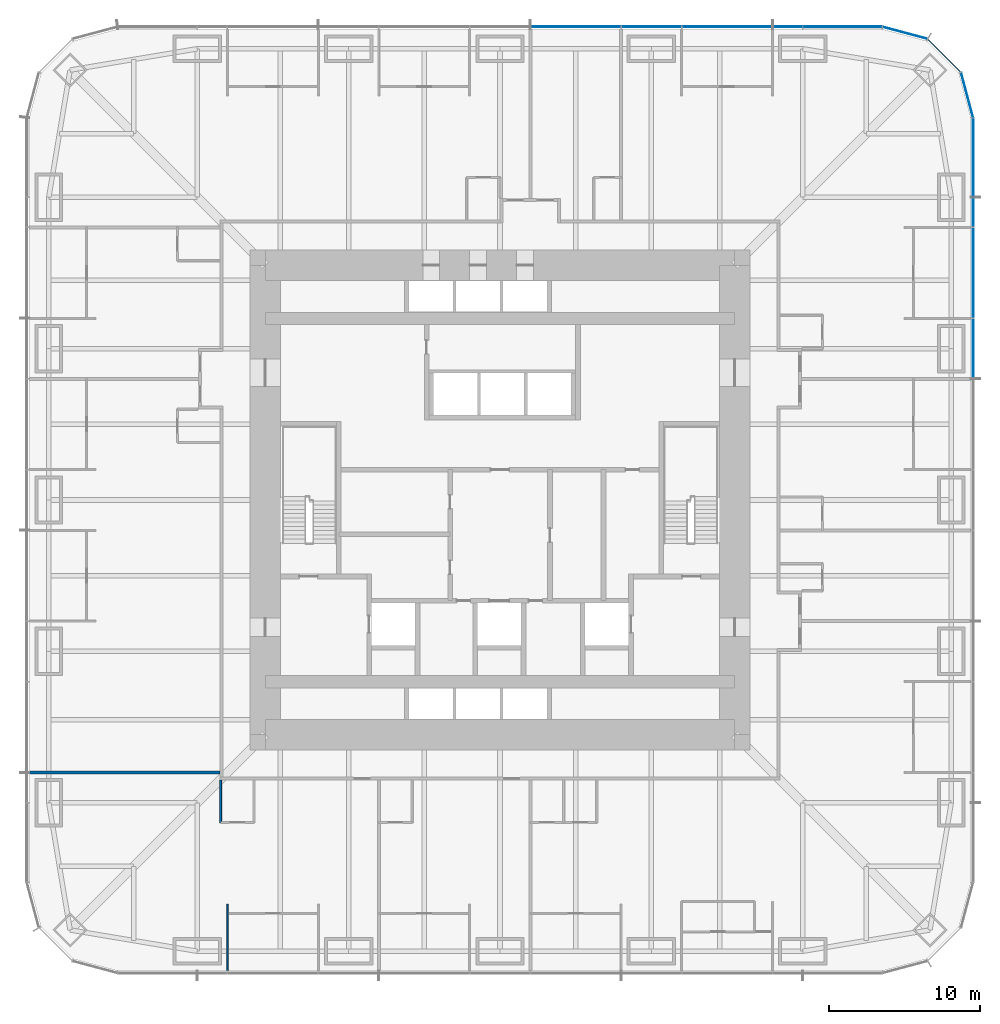
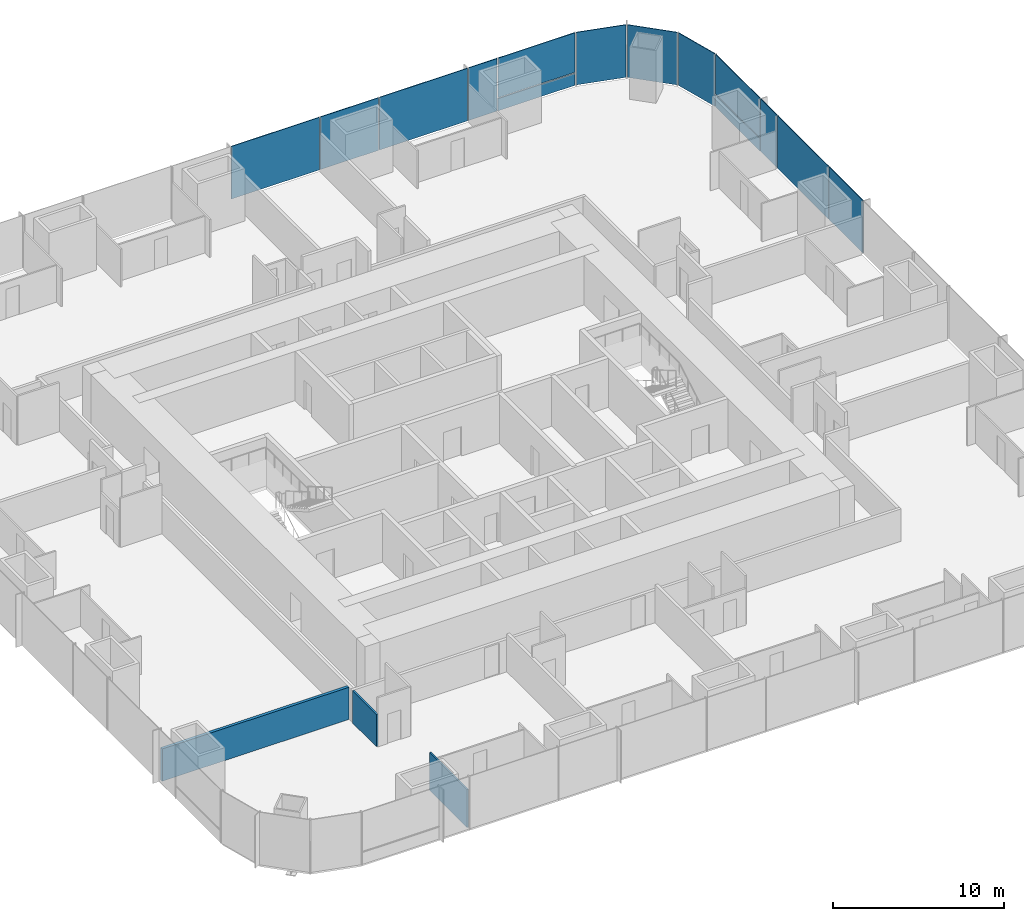
# One storey, part 11 of 16: 14 plates, 3 walls, 3 elements without a shape of their own.
"""IFC4 building model written with IfcOpenShell, lengths in metres."""

import ifcopenshell
import ifcopenshell.guid

model = None  # the IFC model being written
_history = None  # IfcOwnerHistory: only IFC2X3 demands one
_inside = {}  # id of a spatial element -> (the spatial element, [elements in it])
_under = {}  # id of a project, library or spatial element -> (it, [spatial elements below it])
_declared = {}  # id of a project -> (the project, [libraries it declares])
_typed = {}  # id of a type object -> (the type object, [elements of that type])
_made_of = {}  # id of a material, layer set ... -> (it, [elements and type objects made of it])


def new_model(schema):
    """Start an empty IFC model of exactly this schema.

    Asked for "IFC4X3", IfcOpenShell would pick the latest addendum, in which some entities
    have other attributes; the version numbers below select the first issue.
    IFC2X3 requires an IfcOwnerHistory on every rooted entity: one is made here for all.
    """
    global model, _history
    if schema == "IFC4X3":
        model = ifcopenshell.file(schema_version=(4, 3, 0, 0))
    else:
        model = ifcopenshell.file(schema=schema)
    _inside.clear()
    _under.clear()
    _declared.clear()
    _typed.clear()
    _made_of.clear()
    _history = None
    if model.schema == "IFC2X3":
        org = make("IfcOrganization", Name="unknown")
        user = make(
            "IfcPersonAndOrganization",
            ThePerson=make("IfcPerson", FamilyName="unknown"),
            TheOrganization=org,
        )
        app = make(
            "IfcApplication",
            ApplicationDeveloper=org,
            Version="unknown",
            ApplicationFullName="unknown",
            ApplicationIdentifier="unknown",
        )
        _history = make(
            "IfcOwnerHistory",
            OwningUser=user,
            OwningApplication=app,
            ChangeAction="ADDED",
            CreationDate=0,
        )
    return model


def make(cls, **values):
    """One entity of the class cls with the attributes given. An attribute that is None is left unset."""
    return model.create_entity(
        cls, **{name: value for name, value in values.items() if value is not None}
    )


def rooted(cls, **values):
    """An entity with a GlobalId (a new one), such as an element, a storey or a relation."""
    return make(cls, GlobalId=ifcopenshell.guid.new(), OwnerHistory=_history, **values)


def si_unit(unit_type, name, prefix=None):
    """IfcSIUnit, for example si_unit("LENGTHUNIT", "METRE", prefix="MILLI")."""
    return make("IfcSIUnit", UnitType=unit_type, Prefix=prefix, Name=name)


def assignment(units):
    """IfcUnitAssignment: the units of a project."""
    return None if units is None else make("IfcUnitAssignment", Units=units)


def point(xyz):
    """IfcCartesianPoint."""
    return None if xyz is None else make("IfcCartesianPoint", Coordinates=xyz)


def direction(xyz):
    """IfcDirection."""
    return None if xyz is None else make("IfcDirection", DirectionRatios=xyz)


def frame(location, z_axis=None, x_axis=None):
    """IfcAxis2Placement3D, a coordinate frame: its origin and axes. An axis left out is left unset."""
    return make(
        "IfcAxis2Placement3D",
        Location=point(location),
        Axis=direction(z_axis),
        RefDirection=direction(x_axis),
    )


def frame_2d(location, x_axis=None):
    """IfcAxis2Placement2D, a coordinate frame in the plane: its origin and x axis."""
    return make(
        "IfcAxis2Placement2D", Location=point(location), RefDirection=direction(x_axis)
    )


def origin():
    """The frame at (0, 0, 0) with its axes left unset."""
    return frame((0.0, 0.0, 0.0))


def origin_2d():
    """The frame at (0, 0) in the plane with its x axis left unset."""
    return frame_2d((0.0, 0.0))


def place(relative_to, where):
    """IfcLocalPlacement: puts the frame where relative to a parent placement (None: the world)."""
    return make(
        "IfcLocalPlacement", PlacementRelTo=relative_to, RelativePlacement=where
    )


def context(
    kind, dimensions, precision=None, world=None, true_north=None, identifier=None
):
    """IfcGeometricRepresentationContext, for example the 3D "Model" context."""
    return make(
        "IfcGeometricRepresentationContext",
        ContextIdentifier=identifier,
        ContextType=kind,
        CoordinateSpaceDimension=dimensions,
        Precision=precision,
        WorldCoordinateSystem=world,
        TrueNorth=true_north,
    )


def subcontext(parent, identifier, kind, view, scale=None):
    """IfcGeometricRepresentationSubContext, for example "Body" below "Model"."""
    return make(
        "IfcGeometricRepresentationSubContext",
        ContextIdentifier=identifier,
        ContextType=kind,
        ParentContext=parent,
        TargetScale=scale,
        TargetView=view,
    )


def project(units=None, contexts=None):
    """IfcProject with its units and contexts."""
    return rooted(
        "IfcProject",
        Name="project",
        RepresentationContexts=contexts,
        UnitsInContext=assignment(units),
    )


def spatial(cls, under=None, at=None, **own):
    """A site, building, storey or space (cls), placed at a placement, below another one or the project."""
    s = rooted(cls, ObjectPlacement=at, **own)
    if under is not None:
        _under.setdefault(under.id(), (under, []))[1].append(s)
    return s


def profile(cls, at=None, kind="AREA", **sizes):
    """A parametric profile (cls). Its sizes go by their IFC names, for example OverallWidth=200.0."""
    return make(cls, ProfileType=kind, Position=at, **sizes)


def rectangle(**sizes):
    """IfcRectangleProfileDef."""
    return profile("IfcRectangleProfileDef", **sizes)


def extrude(swept, where, along, depth):
    """IfcExtrudedAreaSolid: the profile swept, set in the frame where, extruded along a direction by depth."""
    return make(
        "IfcExtrudedAreaSolid",
        SweptArea=swept,
        Position=where,
        ExtrudedDirection=direction(along),
        Depth=depth,
    )


def shape(context_of_items, identifier, shape_type, items):
    """IfcShapeRepresentation: the items that make up one representation, for example the "Body"."""
    return make(
        "IfcShapeRepresentation",
        ContextOfItems=context_of_items,
        RepresentationIdentifier=identifier,
        RepresentationType=shape_type,
        Items=items,
    )


def material(Name=None, Category=None):
    """IfcMaterial."""
    return make("IfcMaterial", Name=Name, Category=Category)


def layer(
    of_material, thickness, ventilated=None, Name=None, Category=None, Priority=None
):
    """IfcMaterialLayer: one layer of a wall or slab, of a material (None: an air gap)."""
    return make(
        "IfcMaterialLayer",
        Material=of_material,
        LayerThickness=thickness,
        IsVentilated=ventilated,
        Name=Name,
        Category=Category,
        Priority=Priority,
    )


def layer_set(layers, Name=None):
    """IfcMaterialLayerSet."""
    return make("IfcMaterialLayerSet", MaterialLayers=layers, LayerSetName=Name)


def made_of(thing, what):
    """Note that an element or type object is made of a material, layer set ...; save() writes the relation."""
    if what is not None:
        _made_of.setdefault(what.id(), (what, []))[1].append(thing)
    return thing


def type_object(cls, material=None, **own):
    """A type object (cls), such as IfcWallType, which elements share."""
    return made_of(rooted(cls, **own), material)


def element(
    cls,
    number,
    at=None,
    inside=None,
    cuts=None,
    type_object=None,
    material=None,
    context=None,
    identifier="Body",
    shape_type=None,
    held_by="IfcProductDefinitionShape",
    body=None,
    shapes=None,
    **own,
):
    """One element of the class cls, such as IfcWall. Its Tag is "e" and its number.

    at: its placement. inside: the storey or other place that contains it. cuts: it is an
    opening in that element (IfcRelVoidsElement). A single representation is given by context,
    identifier, shape_type and body (its items); several are given by shapes. held_by: the class
    of the entity that holds the representations. save() writes the other relations.
    """
    e = rooted(cls, Tag="e%d" % number, ObjectPlacement=at, **own)
    if body is not None:
        shapes = [shape(context, identifier, shape_type, body)]
    if shapes is not None:
        e.Representation = make(held_by, Representations=shapes)
    if inside is not None:
        _inside.setdefault(inside.id(), (inside, []))[1].append(e)
    if cuts is not None:
        rooted(
            "IfcRelVoidsElement", RelatingBuildingElement=cuts, RelatedOpeningElement=e
        )
    if type_object is not None:
        _typed.setdefault(type_object.id(), (type_object, []))[1].append(e)
    return made_of(e, material)


def aggregate(whole, parts):
    """IfcRelAggregates: a whole, such as a stair, and the parts it consists of."""
    return rooted("IfcRelAggregates", RelatingObject=whole, RelatedObjects=parts)


def save(model, path):
    """Write the relations noted so far, then the file.

    IfcRelAggregates (storeys below a building ...), IfcRelContainedInSpatialStructure (elements
    in a storey), IfcRelDefinesByType, IfcRelAssociatesMaterial and IfcRelDeclares: one each for
    every whole, place, type object, material and project.
    """
    for whole, parts in _under.values():
        aggregate(whole, parts)
    for where, things in _inside.values():
        rooted(
            "IfcRelContainedInSpatialStructure",
            RelatedElements=things,
            RelatingStructure=where,
        )
    for kind, things in _typed.values():
        rooted("IfcRelDefinesByType", RelatedObjects=things, RelatingType=kind)
    for what, things in _made_of.values():
        rooted("IfcRelAssociatesMaterial", RelatedObjects=things, RelatingMaterial=what)
    for by, libraries in _declared.values():
        rooted("IfcRelDeclares", RelatingContext=by, RelatedDefinitions=libraries)
    model.write(path)


model = new_model("IFC4")

# Units and contexts
model_context = context("Model", 3, precision=1e-05, world=origin(), true_north=direction((0.0, 1.0)))
body_context = subcontext(model_context, "Body", "Model", "MODEL_VIEW")
ifc_project = project(units=[si_unit("LENGTHUNIT", "METRE"), si_unit("AREAUNIT", "SQUARE_METRE"), si_unit("VOLUMEUNIT", "CUBIC_METRE"), si_unit("PLANEANGLEUNIT", "RADIAN"), si_unit("MASSUNIT", "GRAM", prefix="KILO")], contexts=[model_context])

# Site, building, storey
site_placement = place(None, origin())
site = spatial("IfcSite", under=ifc_project, at=site_placement, CompositionType="ELEMENT")
building_placement = place(site_placement, origin())
building = spatial("IfcBuilding", under=site, at=building_placement, Name="Khuree Lantern Residences", CompositionType="ELEMENT")
storey_placement = place(building_placement, frame((0.0, 0.0, 81.0)))
storey = spatial("IfcBuildingStorey", under=building, at=storey_placement, Name="L20", CompositionType="ELEMENT", Elevation=81.0)

# Curtain wall, plates
ifc_material_1 = material(Name="Bronze anodised aluminium", Category="aluminium")
curtain_wall_type_1 = type_object("IfcCurtainWallType", Name="CW-T2 TOWER CORNER CURTAIN WALL", PredefinedType="USERDEFINED", material=ifc_material_1)
curtain_wall_1_placement = place(storey_placement, origin())
curtain_wall_1 = element("IfcCurtainWall", 1, at=curtain_wall_1_placement, inside=storey, type_object=curtain_wall_type_1, Name="L20 NORTH-EAST CORNER CURTAIN WALL", ObjectType="Faceted corner curtain wall", PredefinedType="USERDEFINED")
ifc_material_2 = material(Name="Bronze tinted triple glazing", Category="glass")
ifc_layer_1 = layer(ifc_material_2, 0.048095703125)
ifc_layer_set_1 = layer_set([ifc_layer_1], Name="FACET PANEL P4")
plate_type_1 = type_object("IfcPlateType", Name="FACET PANEL P4", PredefinedType="CURTAIN_PANEL", material=ifc_layer_set_1)
plate_1_placement = place(storey_placement, frame((30.8486328125, 26.748046875, 0.0), z_axis=(0.0, 0.0, 1.0), x_axis=(-0.258819172081, 0.965925792265, 0.0)))
plate_1 = element("IfcPlate", 2, at=plate_1_placement, type_object=plate_type_1, Name="L20 NORTH-EAST CORNER PANEL 15.1", PredefinedType="CURTAIN_PANEL", context=body_context, shape_type="SweptSolid", body=[
    extrude(rectangle(XDim=3.02978515625, YDim=0.048095703125, at=origin_2d()), origin(), (0.0, 0.0, 1.0), 3.75),
])
plate_2_placement = place(storey_placement, frame((29.34814453125, 29.34814453125, 0.0), z_axis=(0.0, 0.0, 1.0), x_axis=(-0.707106781187, 0.707106781187, 0.0)))
plate_2 = element("IfcPlate", 3, at=plate_2_placement, type_object=plate_type_1, Name="L20 NORTH-EAST CORNER PANEL 16.1", PredefinedType="CURTAIN_PANEL", context=body_context, shape_type="SweptSolid", body=[
    extrude(rectangle(XDim=3.025634765625, YDim=0.048095703125, at=origin_2d()), origin(), (0.0, 0.0, 1.0), 3.75),
])
plate_3_placement = place(storey_placement, frame((26.748046875, 30.8486328125, 0.0), z_axis=(0.0, 0.0, 1.0), x_axis=(-0.965925792265, 0.258819172081, 0.0)))
plate_3 = element("IfcPlate", 4, at=plate_3_placement, type_object=plate_type_1, Name="L20 NORTH-EAST CORNER PANEL 17.1", PredefinedType="CURTAIN_PANEL", context=body_context, shape_type="SweptSolid", body=[
    extrude(rectangle(XDim=3.02978515625, YDim=0.048095703125, at=origin_2d()), origin(), (0.0, 0.0, 1.0), 3.75),
])
aggregate(curtain_wall_1, [plate_1, plate_2, plate_3])

# Curtain wall, plate
curtain_wall_type_2 = type_object("IfcCurtainWallType", Name="CW-T1 TOWER FACE CURTAIN WALL", PredefinedType="USERDEFINED", material=ifc_material_1)
curtain_wall_2_placement = place(storey_placement, origin())
curtain_wall_2 = element("IfcCurtainWall", 5, at=curtain_wall_2_placement, inside=storey, type_object=curtain_wall_type_2, Name="L20 EAST FACE CURTAIN WALL", ObjectType="Stick-built curtain wall", PredefinedType="USERDEFINED")
ifc_material_3 = material(Name="Bronze tinted triple glazing with a ceramic-fritted spandrel band", Category="glass")
ifc_layer_2 = layer(ifc_material_3, 0.048095703125)
ifc_layer_set_2 = layer_set([ifc_layer_2], Name="FIXED LIGHT PANEL P11")
plate_type_2 = type_object("IfcPlateType", Name="FIXED LIGHT PANEL P11", PredefinedType="CURTAIN_PANEL", material=ifc_layer_set_2)
plate_4_placement = place(storey_placement, frame((31.25, 15.0, 0.0), z_axis=(0.0, 0.0, 1.0), x_axis=(0.0, 1.0, 0.0)))
plate_4 = element("IfcPlate", 6, at=plate_4_placement, type_object=plate_type_2, Name="L20 EAST FACE PANEL 12.1", PredefinedType="CURTAIN_PANEL", context=body_context, shape_type="SweptSolid", body=[
    extrude(rectangle(XDim=5.93505859375, YDim=0.048095703125, at=origin_2d()), origin(), (0.0, 0.0, 1.0), 3.75),
])

# Curtain wall, plates
curtain_wall_3_placement = place(storey_placement, origin())
curtain_wall_3 = element("IfcCurtainWall", 7, at=curtain_wall_3_placement, inside=storey, type_object=curtain_wall_type_2, Name="L20 NORTH FACE CURTAIN WALL", ObjectType="Stick-built curtain wall", PredefinedType="USERDEFINED")
plate_5_placement = place(storey_placement, frame((15.0, 31.25, 0.0), z_axis=(0.0, 0.0, 1.0), x_axis=(-1.0, 0.0, 0.0)))
plate_5 = element("IfcPlate", 8, at=plate_5_placement, type_object=plate_type_2, Name="L20 NORTH FACE PANEL 20.1", PredefinedType="CURTAIN_PANEL", context=body_context, shape_type="SweptSolid", body=[
    extrude(rectangle(XDim=5.93505859375, YDim=0.048095703125, at=origin_2d()), origin(), (0.0, 0.0, 1.0), 3.75),
])
plate_6_placement = place(storey_placement, frame((5.0, 31.25, 0.0), z_axis=(0.0, 0.0, 1.0), x_axis=(-1.0, 0.0, 0.0)))
plate_6 = element("IfcPlate", 9, at=plate_6_placement, type_object=plate_type_2, Name="L20 NORTH FACE PANEL 22.1", PredefinedType="CURTAIN_PANEL", context=body_context, shape_type="SweptSolid", body=[
    extrude(rectangle(XDim=5.93505859375, YDim=0.048095703125, at=origin_2d()), origin(), (0.0, 0.0, 1.0), 3.75),
])

# Plate
ifc_material_4 = material(Name="Bronze tinted triple glazing, two aluminium-framed sashes in one frame", Category="aluminium")
ifc_layer_3 = layer(ifc_material_4, 0.048095703125)
ifc_layer_set_3 = layer_set([ifc_layer_3], Name="SASH PAIR PANEL P12")
plate_type_3 = type_object("IfcPlateType", Name="SASH PAIR PANEL P12", PredefinedType="CURTAIN_PANEL", material=ifc_layer_set_3)
plate_7_placement = place(storey_placement, frame((31.25, 10.0, 0.0), z_axis=(0.0, 0.0, 1.0), x_axis=(0.0, 1.0, 0.0)))
plate_7 = element("IfcPlate", 10, at=plate_7_placement, type_object=plate_type_3, Name="L20 EAST FACE PANEL 11.1", PredefinedType="CURTAIN_PANEL", context=body_context, shape_type="SweptSolid", body=[
    extrude(rectangle(XDim=3.93505859375, YDim=0.048095703125, at=origin_2d()), origin(), (0.0, 0.0, 1.0), 3.75),
])

plate_8_placement = place(storey_placement, frame((10.0, 31.25, 0.0), z_axis=(0.0, 0.0, 1.0), x_axis=(-1.0, 0.0, 0.0)))
plate_8 = element("IfcPlate", 11, at=plate_8_placement, type_object=plate_type_3, Name="L20 NORTH FACE PANEL 21.1", PredefinedType="CURTAIN_PANEL", context=body_context, shape_type="SweptSolid", body=[
    extrude(rectangle(XDim=3.93505859375, YDim=0.048095703125, at=origin_2d()), origin(), (0.0, 0.0, 1.0), 3.75),
])

ifc_material_5 = material(Name="Bronze tinted triple glazing, aluminium-framed sash", Category="aluminium")
ifc_layer_4 = layer(ifc_material_5, 0.048095703125)
ifc_layer_set_4 = layer_set([ifc_layer_4], Name="SASH PANEL P3")
plate_type_4 = type_object("IfcPlateType", Name="SASH PANEL P3", PredefinedType="CURTAIN_PANEL", material=ifc_layer_set_4)
plate_9_placement = place(storey_placement, frame((31.25, 19.0, 0.0), z_axis=(0.0, 0.0, 1.0), x_axis=(0.0, 1.0, 0.0)))
plate_9 = element("IfcPlate", 12, at=plate_9_placement, type_object=plate_type_4, Name="L20 EAST FACE PANEL 13.1", PredefinedType="CURTAIN_PANEL", context=body_context, shape_type="SweptSolid", body=[
    extrude(rectangle(XDim=1.93505859375, YDim=0.048095703125, at=origin_2d()), origin(), (0.0, 0.0, 1.0), 3.75),
])

plate_10_placement = place(storey_placement, frame((19.0, 31.25, 0.0), z_axis=(0.0, 0.0, 1.0), x_axis=(-1.0, 0.0, 0.0)))
plate_10 = element("IfcPlate", 13, at=plate_10_placement, type_object=plate_type_4, Name="L20 NORTH FACE PANEL 19.1", PredefinedType="CURTAIN_PANEL", context=body_context, shape_type="SweptSolid", body=[
    extrude(rectangle(XDim=1.93505859375, YDim=0.048095703125, at=origin_2d()), origin(), (0.0, 0.0, 1.0), 3.75),
])

ifc_material_6 = material(Name="Bronze anodised aluminium insulated spandrel", Category="aluminium")
ifc_layer_5 = layer(ifc_material_6, 0.06005859375)
ifc_layer_set_5 = layer_set([ifc_layer_5], Name="SPANDREL PANEL P2")
plate_type_5 = type_object("IfcPlateType", Name="SPANDREL PANEL P2", PredefinedType="CURTAIN_PANEL", material=ifc_layer_set_5)
plate_11_placement = place(storey_placement, frame((31.25, 22.622802734375, 0.0), z_axis=(0.0, 0.0, 1.0), x_axis=(0.0, 1.0, 0.0)))
plate_11 = element("IfcPlate", 14, at=plate_11_placement, type_object=plate_type_5, Name="L20 EAST FACE PANEL 14.1", PredefinedType="CURTAIN_PANEL", context=body_context, shape_type="SweptSolid", body=[
    extrude(rectangle(XDim=5.1806640625, YDim=0.06005859375, at=origin_2d()), origin(), (0.0, 0.0, 1.0), 0.867431640625),
])

plate_12_placement = place(storey_placement, frame((22.622802734375, 31.25, 0.0), z_axis=(0.0, 0.0, 1.0), x_axis=(-1.0, 0.0, 0.0)))
plate_12 = element("IfcPlate", 15, at=plate_12_placement, type_object=plate_type_5, Name="L20 NORTH FACE PANEL 18.1", PredefinedType="CURTAIN_PANEL", context=body_context, shape_type="SweptSolid", body=[
    extrude(rectangle(XDim=5.1806640625, YDim=0.06005859375, at=origin_2d()), origin(), (0.0, 0.0, 1.0), 0.867431640625),
])

ifc_layer_6 = layer(ifc_material_2, 0.048095703125)
ifc_layer_set_6 = layer_set([ifc_layer_6], Name="VISION PANEL P1")
plate_type_6 = type_object("IfcPlateType", Name="VISION PANEL P1", PredefinedType="CURTAIN_PANEL", material=ifc_layer_set_6)
plate_13_placement = place(storey_placement, frame((31.25, 22.623291015625, 0.9326171875), z_axis=(0.0, 0.0, 1.0), x_axis=(0.0, 1.0, 0.0)))
plate_13 = element("IfcPlate", 16, at=plate_13_placement, type_object=plate_type_6, Name="L20 EAST FACE PANEL 14.2", PredefinedType="CURTAIN_PANEL", context=body_context, shape_type="SweptSolid", body=[
    extrude(rectangle(XDim=5.181640625, YDim=0.048095703125, at=origin_2d()), origin(), (0.0, 0.0, 1.0), 2.8173828125),
])

aggregate(curtain_wall_2, [plate_7, plate_4, plate_9, plate_11, plate_13])

plate_14_placement = place(storey_placement, frame((22.623291015625, 31.25, 0.9326171875), z_axis=(0.0, 0.0, 1.0), x_axis=(-1.0, 0.0, 0.0)))
plate_14 = element("IfcPlate", 17, at=plate_14_placement, type_object=plate_type_6, Name="L20 NORTH FACE PANEL 18.2", PredefinedType="CURTAIN_PANEL", context=body_context, shape_type="SweptSolid", body=[
    extrude(rectangle(XDim=5.181640625, YDim=0.048095703125, at=origin_2d()), origin(), (0.0, 0.0, 1.0), 2.8173828125),
])

aggregate(curtain_wall_3, [plate_12, plate_14, plate_10, plate_5, plate_8, plate_6])

# Walls
ifc_material_7 = material(Name="Moisture-resistant gypsum board on steel studs", Category="steel")
ifc_layer_7 = layer(ifc_material_7, 0.125)
ifc_layer_set_7 = layer_set([ifc_layer_7], Name="BATHROOM WALL BTW125")
wall_type_1 = type_object("IfcWallType", Name="BATHROOM WALL BTW125", PredefinedType="PARTITIONING", material=ifc_layer_set_7)
wall_1_placement = place(storey_placement, frame((-18.449951171875, -18.5, 0.0), z_axis=(0.0, 0.0, 1.0), x_axis=(0.0, -1.0, 0.0)))
element("IfcWall", 18, at=wall_1_placement, inside=storey, type_object=wall_type_1, Name="L20 BATHROOM WALL 08", PredefinedType="PARTITIONING", context=body_context, shape_type="SweptSolid", body=[
    extrude(rectangle(XDim=2.800048828125, YDim=0.125, at=frame_2d((1.39990234375, 0.0))), origin(), (0.0, 0.0, 1.0), 2.300048828125),
])
ifc_material_8 = material(Name="Gypsum board on steel studs", Category="steel")
ifc_layer_8 = layer(ifc_material_8, 0.199951171875)
ifc_layer_set_8 = layer_set([ifc_layer_8], Name="DEMISING WALL DMW200 EI 90")
wall_type_2 = type_object("IfcWallType", Name="DEMISING WALL DMW200 EI 90", PredefinedType="PARTITIONING", material=ifc_layer_set_8)
wall_2_placement = place(storey_placement, frame((-18.5, -18.0, 0.0), z_axis=(0.0, 0.0, 1.0), x_axis=(-1.0, 0.0, 0.0)))
element("IfcWall", 19, at=wall_2_placement, inside=storey, type_object=wall_type_2, Name="L20 DEMISING WALL 08", PredefinedType="PARTITIONING", context=body_context, shape_type="SweptSolid", body=[
    extrude(rectangle(XDim=12.60009765625, YDim=0.199951171875, at=frame_2d((6.300048828125, 0.0))), origin(), (0.0, 0.0, 1.0), 2.300048828125),
])
ifc_layer_9 = layer(ifc_material_8, 0.10009765625)
ifc_layer_set_9 = layer_set([ifc_layer_9], Name="PARTITION PT100")
wall_type_3 = type_object("IfcWallType", Name="PARTITION PT100", PredefinedType="PARTITIONING", material=ifc_layer_set_9)
wall_3_placement = place(storey_placement, frame((-18.0, -26.699951171875, 0.0), z_axis=(0.0, 0.0, 1.0), x_axis=(0.0, -1.0, 0.0)))
element("IfcWall", 20, at=wall_3_placement, inside=storey, type_object=wall_type_3, Name="L20 PARTITION 08", PredefinedType="PARTITIONING", context=body_context, shape_type="SweptSolid", body=[
    extrude(rectangle(XDim=4.400146484375, YDim=0.10009765625, at=frame_2d((2.2001953125, 0.0))), origin(), (0.0, 0.0, 1.0), 2.7099609375),
])

save(model, "model.ifc")
